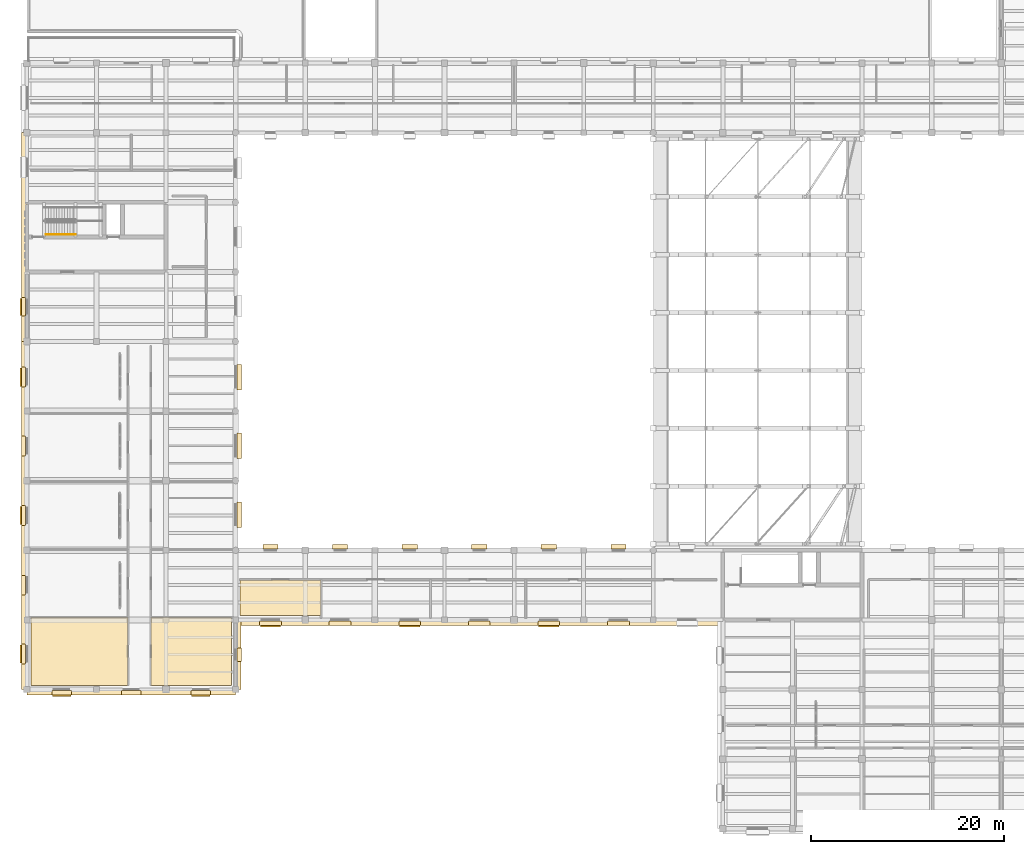
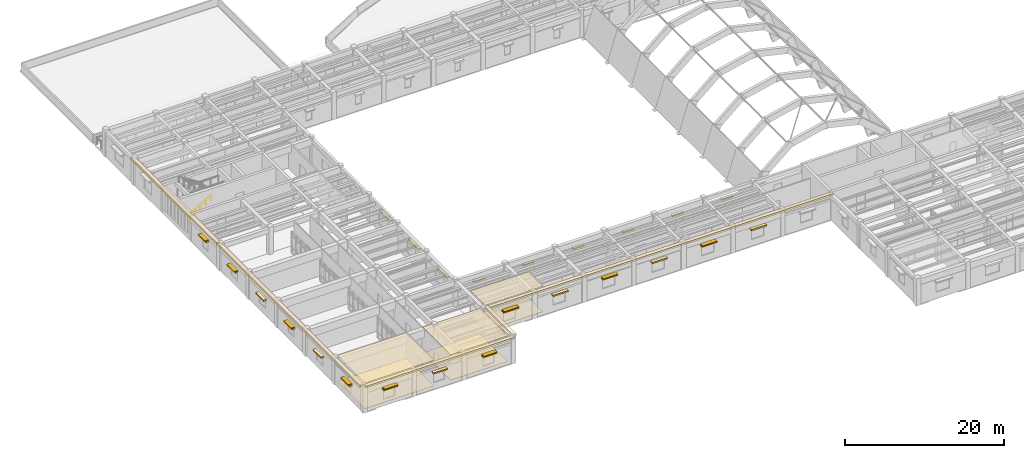
# One storey, part 59 of 66: 36 coverings, 9 shading devices, 1 railing.
"""IFC4 building model written with IfcOpenShell, lengths in metres."""

from ifc_helpers import new_model, si_unit, direction, frame, origin, origin_2d, place, context, subcontext, project, spatial, polyline, rectangle, circle, outline, extrude, material, layer, layer_set, type_object, element, save


model = new_model("IFC4")

# Units and contexts
model_context = context("Model", 3, precision=1e-05, world=origin(), true_north=direction((0.0, 1.0)))
body_context = subcontext(model_context, "Body", "Model", "MODEL_VIEW")
ifc_project = project(units=[si_unit("LENGTHUNIT", "METRE"), si_unit("AREAUNIT", "SQUARE_METRE"), si_unit("VOLUMEUNIT", "CUBIC_METRE"), si_unit("PLANEANGLEUNIT", "RADIAN"), si_unit("MASSUNIT", "GRAM", prefix="KILO")], contexts=[model_context])

# Site, building, storey
site_placement = place(None, origin())
site = spatial("IfcSite", under=ifc_project, at=site_placement, CompositionType="ELEMENT")
building_placement = place(site_placement, origin())
building = spatial("IfcBuilding", under=site, at=building_placement, Name="Mithqara Police Headquarters", CompositionType="ELEMENT")
storey_placement = place(building_placement, frame((0.0, 0.0, 9.60009765625)))
storey = spatial("IfcBuildingStorey", under=building, at=storey_placement, Name="L02", CompositionType="ELEMENT", Elevation=9.60009765625)

# Coverings
ifc_material_1 = material(Name="Acoustic mineral-fibre ceiling tile", Category="gypsum")
ifc_layer_1 = layer(ifc_material_1, 0.02490234375, Name="Acoustic mineral-fibre ceiling tile")
ifc_layer_set_1 = layer_set([ifc_layer_1], Name="Acoustic mineral-fibre ceiling tile")
covering_type_1 = type_object("IfcCoveringType", Name="ACOUSTIC CEILING TILE", PredefinedType="CEILING", material=ifc_layer_set_1)
covering_1_placement = place(storey_placement, frame((0.0, 0.0, 3.914794921875)))
element("IfcCovering", 1, at=covering_1_placement, inside=storey, type_object=covering_type_1, Name="Press Briefing Auditorium Acoustic Ceiling", PredefinedType="CEILING", context=body_context, shape_type="SweptSolid", body=[
    extrude(outline(polyline([(8.239990234375, 21.43994140625), (18.260009765625, 21.43994140625), (18.260009765625, 28.431884765625), (8.239990234375, 28.431884765625), (8.239990234375, 21.43994140625)])), origin(), (0.0, 0.0, 1.0), 0.025146484375),
])
covering_2_placement = place(storey_placement, frame((0.0, 0.0, 3.914794921875)))
element("IfcCovering", 2, at=covering_2_placement, inside=storey, type_object=covering_type_1, Name="Simultaneous Interpretation Booth Acoustic Ceiling", PredefinedType="CEILING", context=body_context, shape_type="SweptSolid", body=[
    extrude(outline(polyline([(20.639892578125, 21.43994140625), (28.9599609375, 21.43994140625), (28.9599609375, 28.431884765625), (20.639892578125, 28.431884765625), (20.639892578125, 21.43994140625)])), origin(), (0.0, 0.0, 1.0), 0.025146484375),
])
covering_3_placement = place(storey_placement, frame((0.0, 0.0, 3.914794921875)))
element("IfcCovering", 3, at=covering_3_placement, inside=storey, type_object=covering_type_1, Name="Community Safety Analysis Office Acoustic Ceiling", PredefinedType="CEILING", context=body_context, shape_type="SweptSolid", body=[
    extrude(outline(polyline([(29.840087890625, 28.639892578125), (38.216064453125, 28.639892578125), (38.216064453125, 32.340087890625), (29.840087890625, 32.340087890625), (29.840087890625, 28.639892578125)])), origin(), (0.0, 0.0, 1.0), 0.025146484375),
])
ifc_material_2 = material(Name="Limestone ashlar masonry, 45 MPa", Category="masonry")
ifc_layer_2 = layer(ifc_material_2, 0.320068359375, Name="Limestone ashlar masonry, 45 MPa")
ifc_layer_set_2 = layer_set([ifc_layer_2], Name="Limestone ashlar masonry, 45 MPa")
covering_type_2 = type_object("IfcCoveringType", Name="CORNICE LIMESTONE", PredefinedType="CLADDING", material=ifc_layer_set_2)
covering_4_placement = place(storey_placement, frame((7.52001953125, 67.800048828125, 3.919921875), z_axis=(0.0, 0.0, 1.0), x_axis=(0.0, 1.0, 0.0)))
element("IfcCovering", 4, at=covering_4_placement, inside=storey, type_object=covering_type_2, Name="L02 Projecting Ottoman Limestone Eaves Cornice 13", PredefinedType="CLADDING", context=body_context, shape_type="SweptSolid", body=[
    extrude(rectangle(XDim=21.60009765625, YDim=0.56005859375, at=origin_2d()), origin(), (0.0, 0.0, 1.0), 0.280029296875),
])
covering_5_placement = place(storey_placement, frame((7.52001953125, 39.0, 3.919921875), z_axis=(0.0, 0.0, 1.0), x_axis=(0.0, 1.0, 0.0)))
element("IfcCovering", 5, at=covering_5_placement, inside=storey, type_object=covering_type_2, Name="L02 Projecting Ottoman Limestone Eaves Cornice 14", PredefinedType="CLADDING", context=body_context, shape_type="SweptSolid", body=[
    extrude(rectangle(XDim=36.0, YDim=0.56005859375, at=origin_2d()), origin(), (0.0, 0.0, 1.0), 0.280029296875),
])
covering_6_placement = place(storey_placement, frame((18.60009765625, 20.719970703125, 3.919921875), z_axis=(0.0, 0.0, 1.0), x_axis=(1.0, 0.0, 0.0)))
element("IfcCovering", 6, at=covering_6_placement, inside=storey, type_object=covering_type_2, Name="L02 Projecting Ottoman Limestone Eaves Cornice 15", PredefinedType="CLADDING", context=body_context, shape_type="SweptSolid", body=[
    extrude(rectangle(XDim=21.60009765625, YDim=0.56005859375, at=origin_2d()), origin(), (0.0, 0.0, 1.0), 0.280029296875),
])
covering_7_placement = place(storey_placement, frame((29.679931640625, 24.60009765625, 3.919921875), z_axis=(0.0, 0.0, 1.0), x_axis=(0.0, 1.0, 0.0)))
element("IfcCovering", 7, at=covering_7_placement, inside=storey, type_object=covering_type_2, Name="L02 Projecting Ottoman Limestone Eaves Cornice 16", PredefinedType="CLADDING", context=body_context, shape_type="SweptSolid", body=[
    extrude(rectangle(XDim=7.199951171875, YDim=0.56005859375, at=origin_2d()), origin(), (0.0, 0.0, 1.0), 0.280029296875),
])
covering_8_placement = place(storey_placement, frame((54.60009765625, 27.919921875, 3.919921875), z_axis=(0.0, 0.0, 1.0), x_axis=(1.0, 0.0, 0.0)))
element("IfcCovering", 8, at=covering_8_placement, inside=storey, type_object=covering_type_2, Name="L02 Projecting Ottoman Limestone Eaves Cornice 17", PredefinedType="CLADDING", context=body_context, shape_type="SweptSolid", body=[
    extrude(rectangle(XDim=50.39990234375, YDim=0.56005859375, at=origin_2d()), origin(), (0.0, 0.0, 1.0), 0.280029296875),
])

# Railing
ifc_material_3 = material(Name="Steel S355JR", Category="steel")
railing_type = type_object("IfcRailingType", Name="HANDRAIL 920", PredefinedType="HANDRAIL", material=ifc_material_3)
railing_placement = place(storey_placement, frame((9.75, 68.050048828125, 0.1748046875)))
element("IfcRailing", 9, at=railing_placement, inside=storey, type_object=railing_type, Name="L02 ST-03 stair handrail 1", PredefinedType="HANDRAIL", context=body_context, shape_type="SweptSolid", body=[
    extrude(circle(Radius=0.02392578125, at=origin_2d()), frame((0.0, 0.0, 0.8759765625), z_axis=(0.847998304005, 0.0, 0.529998940003), x_axis=(0.0, 1.0, 0.0)), (0.0, 0.0, 1.0), 3.632080078125),
    extrude(circle(Radius=0.02099609375, at=origin_2d()), origin(), (0.0, 0.0, 1.0), 0.851806640625),
    extrude(circle(Radius=0.02099609375, at=origin_2d()), frame((0.77001953125, 0.0, 0.481201171875)), (0.0, 0.0, 1.0), 0.851806640625),
    extrude(circle(Radius=0.02099609375, at=origin_2d()), frame((1.5400390625, 0.0, 0.96240234375)), (0.0, 0.0, 1.0), 0.851806640625),
    extrude(circle(Radius=0.02099609375, at=origin_2d()), frame((2.31005859375, 0.0, 1.44384765625)), (0.0, 0.0, 1.0), 0.851806640625),
    extrude(circle(Radius=0.02099609375, at=origin_2d()), frame((3.080078125, 0.0, 1.925048828125)), (0.0, 0.0, 1.0), 0.851806640625),
])

# Shading devices
ifc_material_4 = material(Name="Bronze anodised aluminium 6063-T6", Category="aluminium")
shading_device_type = type_object("IfcShadingDeviceType", Name="SOLAR LOUVRE BRONZE", PredefinedType="JALOUSIE", material=ifc_material_4)
shading_device_placement = place(storey_placement, frame((7.389892578125, 60.5849609375, 2.83984375), z_axis=(0.0, 0.0, 1.0), x_axis=(0.0, 1.0, 0.0)))
element("IfcShadingDevice", 10, at=shading_device_placement, inside=storey, type_object=shading_device_type, Name="L02 Window Solar Louvre Hood 14.1", PredefinedType="JALOUSIE", context=body_context, shape_type="SweptSolid", body=[
    extrude(rectangle(XDim=1.75, YDim=0.60009765625, at=origin_2d()), origin(), (0.0, 0.0, 1.0), 0.10009765625),
])
for number, where, z_axis, x_axis, name in (
    (11, (7.389892578125, 24.679931640625, 2.58984375), (0.0, 0.0, 1.0), (0.0, 1.0, 0.0), "L02 Window Solar Louvre Hood 15.1"),
    (12, (7.389892578125, 39.0, 2.58984375), (0.0, 0.0, 1.0), (0.0, 1.0, 0.0), "L02 Window Solar Louvre Hood 15.3"),
    (13, (7.389892578125, 53.320068359375, 2.58984375), (0.0, 0.0, 1.0), (0.0, 1.0, 0.0), "L02 Window Solar Louvre Hood 15.5"),
    (14, (11.39990234375, 20.590087890625, 2.829833984375), (0.0, 0.0, 1.0), (1.0, 0.0, 0.0), "L02 Window Solar Louvre Hood 16.1"),
    (15, (25.800048828125, 20.590087890625, 2.829833984375), (0.0, 0.0, 1.0), (1.0, 0.0, 0.0), "L02 Window Solar Louvre Hood 16.3"),
):
    element("IfcShadingDevice", number, at=place(storey_placement, frame(where, z_axis=z_axis, x_axis=x_axis)), inside=storey, type_object=shading_device_type, Name=name, PredefinedType="JALOUSIE", context=body_context, shape_type="SweptSolid", body=[
        extrude(rectangle(XDim=1.89990234375, YDim=0.60009765625, at=origin_2d()), origin(), (0.0, 0.0, 1.0), 0.10009765625),
    ])
for number, where, z_axis, x_axis, name in (
    (16, (33.0, 27.7900390625, 2.829833984375), (0.0, 0.0, 1.0), (1.0, 0.0, 0.0), "L02 Window Solar Louvre Hood 18.1"),
    (17, (47.39990234375, 27.7900390625, 2.829833984375), (0.0, 0.0, 1.0), (1.0, 0.0, 0.0), "L02 Window Solar Louvre Hood 18.3"),
    (18, (61.800048828125, 27.7900390625, 2.829833984375), (0.0, 0.0, 1.0), (1.0, 0.0, 0.0), "L02 Window Solar Louvre Hood 18.5"),
):
    element("IfcShadingDevice", number, at=place(storey_placement, frame(where, z_axis=z_axis, x_axis=x_axis)), inside=storey, type_object=shading_device_type, Name=name, PredefinedType="JALOUSIE", context=body_context, shape_type="SweptSolid", body=[
        extrude(rectangle(XDim=2.10009765625, YDim=0.60009765625, at=origin_2d()), origin(), (0.0, 0.0, 1.0), 0.10009765625),
    ])

# Coverings
ifc_material_5 = material(Name="Polished limestone terrazzo flooring", Category="masonry")
ifc_layer_3 = layer(ifc_material_5, 0.02001953125, Name="Polished limestone terrazzo flooring")
ifc_layer_set_3 = layer_set([ifc_layer_3], Name="Polished limestone terrazzo flooring")
covering_type_3 = type_object("IfcCoveringType", Name="TERRAZZO FLOOR FINISH", PredefinedType="FLOORING", material=ifc_layer_set_3)
covering_9_placement = place(storey_placement, origin())
element("IfcCovering", 19, at=covering_9_placement, inside=storey, type_object=covering_type_3, Name="Press Briefing Auditorium Terrazzo Floor Finish", PredefinedType="FLOORING", context=body_context, shape_type="SweptSolid", body=[
    extrude(outline(polyline([(8.239990234375, 21.43994140625), (18.260009765625, 21.43994140625), (18.260009765625, 28.431884765625), (8.239990234375, 28.431884765625), (8.239990234375, 21.43994140625)])), origin(), (0.0, 0.0, 1.0), 0.02001953125),
])
covering_10_placement = place(storey_placement, origin())
element("IfcCovering", 20, at=covering_10_placement, inside=storey, type_object=covering_type_3, Name="Simultaneous Interpretation Booth Terrazzo Floor Finish", PredefinedType="FLOORING", context=body_context, shape_type="SweptSolid", body=[
    extrude(outline(polyline([(20.639892578125, 21.43994140625), (28.9599609375, 21.43994140625), (28.9599609375, 28.431884765625), (20.639892578125, 28.431884765625), (20.639892578125, 21.43994140625)])), origin(), (0.0, 0.0, 1.0), 0.02001953125),
])
covering_11_placement = place(storey_placement, origin())
element("IfcCovering", 21, at=covering_11_placement, inside=storey, type_object=covering_type_3, Name="Community Safety Analysis Office Terrazzo Floor Finish", PredefinedType="FLOORING", context=body_context, shape_type="SweptSolid", body=[
    extrude(outline(polyline([(29.840087890625, 28.639892578125), (38.216064453125, 28.639892578125), (38.216064453125, 32.340087890625), (29.840087890625, 32.340087890625), (29.840087890625, 28.639892578125)])), origin(), (0.0, 0.0, 1.0), 0.02001953125),
])
ifc_layer_4 = layer(ifc_material_2, 0.239990234375, Name="Limestone ashlar masonry, 45 MPa")
ifc_layer_set_4 = layer_set([ifc_layer_4], Name="Limestone ashlar masonry, 45 MPa")
covering_type_4 = type_object("IfcCoveringType", Name="WINDOW HOOD LIMESTONE", PredefinedType="CLADDING", material=ifc_layer_set_4)
covering_12_placement = place(storey_placement, frame((7.449951171875, 60.5849609375, 2.6201171875), z_axis=(0.0, 0.0, 1.0), x_axis=(0.0, 1.0, 0.0)))
element("IfcCovering", 22, at=covering_12_placement, inside=storey, type_object=covering_type_4, Name="L02 Limestone Window Architrave Hood 14.1", PredefinedType="CLADDING", context=body_context, shape_type="SweptSolid", body=[
    extrude(rectangle(XDim=1.889892578125, YDim=0.4599609375, at=origin_2d()), origin(), (0.0, 0.0, 1.0), 0.219970703125),
])
for number, where, z_axis, x_axis, name in (
    (23, (7.449951171875, 24.679931640625, 2.3701171875), (0.0, 0.0, 1.0), (0.0, 1.0, 0.0), "L02 Limestone Window Architrave Hood 15.1"),
    (24, (7.449951171875, 31.800048828125, 2.3701171875), (0.0, 0.0, 1.0), (0.0, 1.0, 0.0), "L02 Limestone Window Architrave Hood 15.2"),
    (25, (7.449951171875, 39.0, 2.3701171875), (0.0, 0.0, 1.0), (0.0, 1.0, 0.0), "L02 Limestone Window Architrave Hood 15.3"),
    (26, (7.449951171875, 46.199951171875, 2.3701171875), (0.0, 0.0, 1.0), (0.0, 1.0, 0.0), "L02 Limestone Window Architrave Hood 15.4"),
    (27, (7.449951171875, 53.320068359375, 2.3701171875), (0.0, 0.0, 1.0), (0.0, 1.0, 0.0), "L02 Limestone Window Architrave Hood 15.5"),
    (28, (11.39990234375, 20.64990234375, 2.6201171875), (0.0, 0.0, 1.0), (1.0, 0.0, 0.0), "L02 Limestone Window Architrave Hood 16.1"),
    (29, (18.60009765625, 20.64990234375, 2.6201171875), (0.0, 0.0, 1.0), (1.0, 0.0, 0.0), "L02 Limestone Window Architrave Hood 16.2"),
    (30, (25.800048828125, 20.64990234375, 2.6201171875), (0.0, 0.0, 1.0), (1.0, 0.0, 0.0), "L02 Limestone Window Architrave Hood 16.3"),
):
    element("IfcCovering", number, at=place(storey_placement, frame(where, z_axis=z_axis, x_axis=x_axis)), inside=storey, type_object=covering_type_4, Name=name, PredefinedType="CLADDING", context=body_context, shape_type="SweptSolid", body=[
        extrude(rectangle(XDim=2.0400390625, YDim=0.4599609375, at=origin_2d()), origin(), (0.0, 0.0, 1.0), 0.219970703125),
    ])
covering_13_placement = place(storey_placement, frame((29.75, 24.60009765625, 2.3701171875), z_axis=(0.0, 0.0, 1.0), x_axis=(0.0, 1.0, 0.0)))
element("IfcCovering", 31, at=covering_13_placement, inside=storey, type_object=covering_type_4, Name="L02 Limestone Window Architrave Hood 17.1", PredefinedType="CLADDING", context=body_context, shape_type="SweptSolid", body=[
    extrude(rectangle(XDim=1.43994140625, YDim=0.4599609375, at=origin_2d()), origin(), (0.0, 0.0, 1.0), 0.219970703125),
])
for number, where, z_axis, x_axis, name in (
    (32, (33.0, 27.85009765625, 2.6201171875), (0.0, 0.0, 1.0), (1.0, 0.0, 0.0), "L02 Limestone Window Architrave Hood 18.1"),
    (33, (40.199951171875, 27.85009765625, 2.6201171875), (0.0, 0.0, 1.0), (1.0, 0.0, 0.0), "L02 Limestone Window Architrave Hood 18.2"),
    (34, (47.39990234375, 27.85009765625, 2.6201171875), (0.0, 0.0, 1.0), (1.0, 0.0, 0.0), "L02 Limestone Window Architrave Hood 18.3"),
    (35, (54.60009765625, 27.85009765625, 2.6201171875), (0.0, 0.0, 1.0), (1.0, 0.0, 0.0), "L02 Limestone Window Architrave Hood 18.4"),
    (36, (61.800048828125, 27.85009765625, 2.6201171875), (0.0, 0.0, 1.0), (1.0, 0.0, 0.0), "L02 Limestone Window Architrave Hood 18.5"),
    (37, (69.0, 27.85009765625, 2.6201171875), (0.0, 0.0, 1.0), (1.0, 0.0, 0.0), "L02 Limestone Window Architrave Hood 18.6"),
):
    element("IfcCovering", number, at=place(storey_placement, frame(where, z_axis=z_axis, x_axis=x_axis)), inside=storey, type_object=covering_type_4, Name=name, PredefinedType="CLADDING", context=body_context, shape_type="SweptSolid", body=[
        extrude(rectangle(XDim=2.239990234375, YDim=0.4599609375, at=origin_2d()), origin(), (0.0, 0.0, 1.0), 0.219970703125),
    ])
for number, where, z_axis, x_axis, name in (
    (38, (29.75, 39.080078125, 2.6201171875), (0.0, 0.0, 1.0), (0.0, 1.0, 0.0), "L02 Limestone Window Architrave Hood 1.1"),
    (39, (29.75, 46.199951171875, 2.6201171875), (0.0, 0.0, 1.0), (0.0, 1.0, 0.0), "L02 Limestone Window Architrave Hood 1.2"),
    (40, (29.75, 53.320068359375, 2.6201171875), (0.0, 0.0, 1.0), (0.0, 1.0, 0.0), "L02 Limestone Window Architrave Hood 1.3"),
):
    element("IfcCovering", number, at=place(storey_placement, frame(where, z_axis=z_axis, x_axis=x_axis)), inside=storey, type_object=covering_type_4, Name=name, PredefinedType="CLADDING", context=body_context, shape_type="SweptSolid", body=[
        extrude(rectangle(XDim=2.639892578125, YDim=0.4599609375, at=origin_2d()), origin(), (0.0, 0.0, 1.0), 0.219970703125),
    ])
for number, where, z_axis, x_axis, name in (
    (41, (33.0, 35.75, 2.3701171875), (0.0, 0.0, 1.0), (1.0, 0.0, 0.0), "L02 Limestone Window Architrave Hood 6.1"),
    (42, (40.199951171875, 35.75, 2.3701171875), (0.0, 0.0, 1.0), (1.0, 0.0, 0.0), "L02 Limestone Window Architrave Hood 6.2"),
    (43, (47.39990234375, 35.75, 2.3701171875), (0.0, 0.0, 1.0), (1.0, 0.0, 0.0), "L02 Limestone Window Architrave Hood 6.3"),
    (44, (54.60009765625, 35.75, 2.3701171875), (0.0, 0.0, 1.0), (1.0, 0.0, 0.0), "L02 Limestone Window Architrave Hood 6.4"),
    (45, (61.800048828125, 35.75, 2.3701171875), (0.0, 0.0, 1.0), (1.0, 0.0, 0.0), "L02 Limestone Window Architrave Hood 6.5"),
    (46, (69.0, 35.75, 2.3701171875), (0.0, 0.0, 1.0), (1.0, 0.0, 0.0), "L02 Limestone Window Architrave Hood 6.6"),
):
    element("IfcCovering", number, at=place(storey_placement, frame(where, z_axis=z_axis, x_axis=x_axis)), inside=storey, type_object=covering_type_4, Name=name, PredefinedType="CLADDING", context=body_context, shape_type="SweptSolid", body=[
        extrude(rectangle(XDim=1.590087890625, YDim=0.4599609375, at=origin_2d()), origin(), (0.0, 0.0, 1.0), 0.219970703125),
    ])

save(model, "model.ifc")
